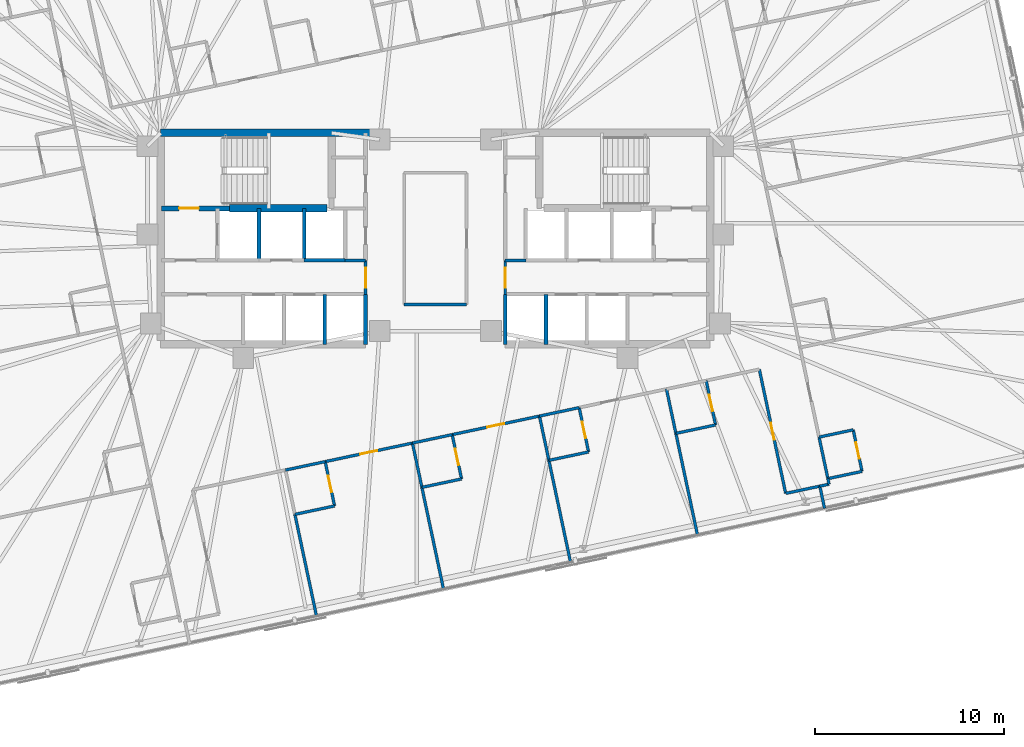
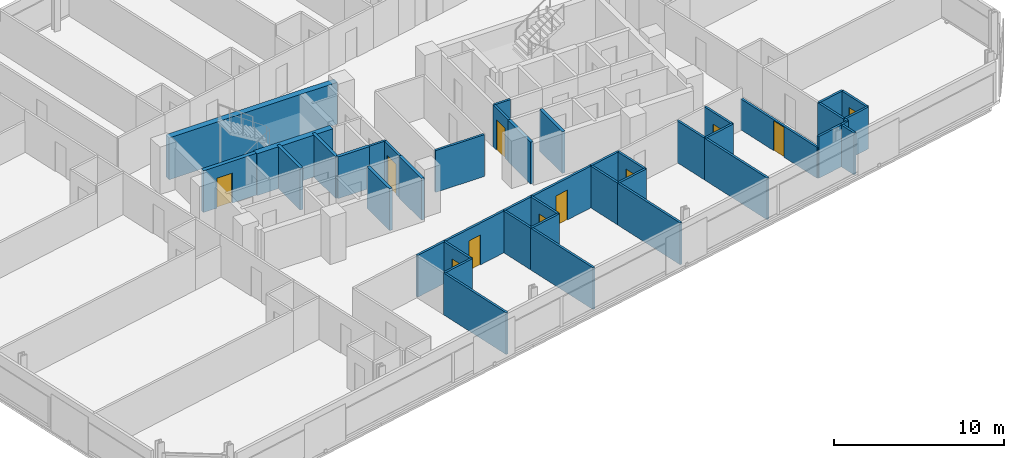
# One storey, part 15 of 20: 44 walls, 11 doors, 11 openings.
"""IFC4 building model written with IfcOpenShell, lengths in metres."""

from ifc_helpers import new_model, si_unit, direction, frame, frame_2d, origin, place, context, subcontext, project, spatial, rectangle, extrude, material, layer, layer_set, type_object, element, fill, save


model = new_model("IFC4")

# Units and contexts
model_context = context("Model", 3, precision=1e-05, world=origin(), true_north=direction((0.0, 1.0)))
body_context = subcontext(model_context, "Body", "Model", "MODEL_VIEW")
ifc_project = project(units=[si_unit("LENGTHUNIT", "METRE"), si_unit("AREAUNIT", "SQUARE_METRE"), si_unit("VOLUMEUNIT", "CUBIC_METRE"), si_unit("PLANEANGLEUNIT", "RADIAN"), si_unit("MASSUNIT", "GRAM", prefix="KILO")], contexts=[model_context])

# Site, building, storey
site_placement = place(None, origin())
site = spatial("IfcSite", under=ifc_project, at=site_placement, CompositionType="ELEMENT")
building_placement = place(site_placement, origin())
building = spatial("IfcBuilding", under=site, at=building_placement, Name="Menara Jurai Vektor", CompositionType="ELEMENT")
storey_placement = place(building_placement, frame((0.0, 0.0, 199.0)))
storey = spatial("IfcBuildingStorey", under=building, at=storey_placement, Name="L52", CompositionType="ELEMENT", Elevation=199.0)

# Wall, opening, door
ifc_material_1 = material(Name="Concrete C40/50", Category="concrete")
ifc_layer_1 = layer(ifc_material_1, 0.25)
ifc_layer_set_1 = layer_set([ifc_layer_1], Name="Concrete C40/50")
wall_type_1 = type_object("IfcWallType", Name="INT-WALL-CORE-250", PredefinedType="STANDARD", material=ifc_layer_set_1)
wall_1_placement = place(storey_placement, frame((-14.5, 1.60009765625, 0.0), z_axis=(0.0, 0.0, 1.0), x_axis=(1.0, 0.0, 0.0)))
wall_1 = element("IfcWall", 1, at=wall_1_placement, inside=storey, type_object=wall_type_1, Name="Interior Wall IW-250 L52", PredefinedType="STANDARD", context=body_context, shape_type="SweptSolid", body=[
    extrude(rectangle(XDim=3.60009765625, YDim=0.25, at=frame_2d((1.800048828125, 0.0))), origin(), (0.0, 0.0, 1.0), 3.0),
])
opening_1_placement = place(wall_1_placement, frame((0.919921875, 0.0, 0.0)))
opening_1 = element("IfcOpeningElement", 2, at=opening_1_placement, cuts=wall_1, Name="Opening D-L52-ST1", PredefinedType="OPENING", context=body_context, shape_type="SweptSolid", body=[
    extrude(rectangle(XDim=1.050048828125, YDim=2.14990234375, at=frame_2d((0.52490234375, 1.074951171875))), frame((0.0, 0.135009765625, 0.0), z_axis=(0.0, -1.0, 0.0), x_axis=(1.0, 0.0, 0.0)), (0.0, 0.0, 1.0), 0.27001953125),
])
ifc_material_2 = material(Name="Fire-Rated Steel Door", Category="steel")
door_type_1 = type_object("IfcDoorType", Name="DR-STAIR-1050", OperationType="NOTDEFINED", PredefinedType="DOOR", material=ifc_material_2)
door_1_placement = place(opening_1_placement, origin())
door_1 = element("IfcDoor", 3, at=door_1_placement, inside=storey, type_object=door_type_1, Name="Exit Stair ST1 Door L52", OperationType="SINGLE_SWING_RIGHT", OverallHeight=2.14990234375, OverallWidth=1.050048828125, PredefinedType="DOOR", context=body_context, shape_type="SweptSolid", body=[
    extrude(rectangle(XDim=1.050048828125, YDim=2.14990234375, at=frame_2d((0.52490234375, 1.074951171875))), frame((0.0, 0.02490234375, 0.0), z_axis=(0.0, -1.0, 0.0), x_axis=(1.0, 0.0, 0.0)), (0.0, 0.0, 1.0), 0.050048828125),
])
fill(opening_1, door_1)

# Wall
wall_2_placement = place(storey_placement, frame((-9.35009765625, -1.14990234375, 0.0), z_axis=(0.0, 0.0, 1.0), x_axis=(0.0, 1.0, 0.0)))
element("IfcWall", 4, at=wall_2_placement, inside=storey, type_object=wall_type_1, Name="Interior Wall IW-250 L52", PredefinedType="STANDARD", context=body_context, shape_type="SweptSolid", body=[
    extrude(rectangle(XDim=2.75, YDim=0.199951171875, at=frame_2d((1.375, 0.0))), origin(), (0.0, 0.0, 1.0), 3.0),
])

# Wall, opening, door
ifc_material_3 = material(Name="Gypsum Fireboard Partition", Category="gypsum")
ifc_layer_2 = layer(ifc_material_3, 0.14990234375)
ifc_layer_set_2 = layer_set([ifc_layer_2], Name="Gypsum Fireboard Partition")
wall_type_2 = type_object("IfcWallType", Name="INT-WALL-CORR-150", PredefinedType="PARTITIONING", material=ifc_layer_set_2)
wall_3_placement = place(storey_placement, frame((-3.699951171875, -2.949951171875, 0.0), z_axis=(0.0, 0.0, 1.0), x_axis=(0.0, 1.0, 0.0)))
wall_3 = element("IfcWall", 5, at=wall_3_placement, inside=storey, type_object=wall_type_2, Name="Interior Wall IW-150 L52", PredefinedType="PARTITIONING", context=body_context, shape_type="SweptSolid", body=[
    extrude(rectangle(XDim=1.800048828125, YDim=0.14990234375, at=frame_2d((0.89990234375, 0.0))), origin(), (0.0, 0.0, 1.0), 3.0),
])
opening_2_placement = place(wall_3_placement, frame((0.35009765625, 0.0, 0.0)))
opening_2 = element("IfcOpeningElement", 6, at=opening_2_placement, cuts=wall_3, Name="Opening D-L52-LLW", PredefinedType="OPENING", context=body_context, shape_type="SweptSolid", body=[
    extrude(rectangle(XDim=1.050048828125, YDim=2.179931640625, at=frame_2d((0.52490234375, 1.08984375))), frame((0.0, 0.0849609375, 0.0), z_axis=(0.0, -1.0, 0.0), x_axis=(1.0, 0.0, 0.0)), (0.0, 0.0, 1.0), 0.169921875),
])
ifc_material_4 = material(Name="Fire-Rated Timber Door", Category="wood")
door_type_2 = type_object("IfcDoorType", Name="DR-LOBBY-1050", OperationType="NOTDEFINED", PredefinedType="DOOR", material=ifc_material_4)
door_2_placement = place(opening_2_placement, origin())
door_2 = element("IfcDoor", 7, at=door_2_placement, inside=storey, type_object=door_type_2, Name="Lift Lobby Corridor Door W L52", OperationType="SINGLE_SWING_LEFT", OverallHeight=2.179931640625, OverallWidth=1.050048828125, PredefinedType="DOOR", context=body_context, shape_type="SweptSolid", body=[
    extrude(rectangle(XDim=1.050048828125, YDim=2.179931640625, at=frame_2d((0.52490234375, 1.08984375))), frame((0.0, 0.02490234375, 0.0), z_axis=(0.0, -1.0, 0.0), x_axis=(1.0, 0.0, 0.0)), (0.0, 0.0, 1.0), 0.050048828125),
])
fill(opening_2, door_2)

# Wall
wall_4_placement = place(storey_placement, frame((-4.7900390625, -1.14990234375, 0.0), z_axis=(0.0, 0.0, 1.0), x_axis=(1.0, 0.0, 0.0)))
element("IfcWall", 8, at=wall_4_placement, inside=storey, type_object=wall_type_2, Name="Interior Wall IW-150 L52", PredefinedType="PARTITIONING", context=body_context, shape_type="SweptSolid", body=[
    extrude(rectangle(XDim=1.090087890625, YDim=0.14990234375, at=frame_2d((0.544921875, 0.0))), origin(), (0.0, 0.0, 1.0), 3.0),
])

# Wall, opening, door
wall_5_placement = place(storey_placement, frame((3.699951171875, -2.949951171875, 0.0), z_axis=(0.0, 0.0, 1.0), x_axis=(0.0, 1.0, 0.0)))
wall_5 = element("IfcWall", 9, at=wall_5_placement, inside=storey, type_object=wall_type_2, Name="Interior Wall IW-150 L52", PredefinedType="PARTITIONING", context=body_context, shape_type="SweptSolid", body=[
    extrude(rectangle(XDim=1.800048828125, YDim=0.14990234375, at=frame_2d((0.89990234375, 0.0))), origin(), (0.0, 0.0, 1.0), 3.0),
])
opening_3_placement = place(wall_5_placement, frame((0.35009765625, 0.0, 0.0)))
opening_3 = element("IfcOpeningElement", 10, at=opening_3_placement, cuts=wall_5, Name="Opening D-L52-LLE", PredefinedType="OPENING", context=body_context, shape_type="SweptSolid", body=[
    extrude(rectangle(XDim=1.050048828125, YDim=2.179931640625, at=frame_2d((0.52490234375, 1.08984375))), frame((0.0, 0.0849609375, 0.0), z_axis=(0.0, -1.0, 0.0), x_axis=(1.0, 0.0, 0.0)), (0.0, 0.0, 1.0), 0.169921875),
])
door_3_placement = place(opening_3_placement, frame((1.050048828125, 0.0, 0.0), z_axis=(0.0, 0.0, 1.0), x_axis=(-1.0, 0.0, 0.0)))
door_3 = element("IfcDoor", 11, at=door_3_placement, inside=storey, type_object=door_type_2, Name="Lift Lobby Corridor Door E L52", OperationType="SINGLE_SWING_RIGHT", OverallHeight=2.179931640625, OverallWidth=1.050048828125, PredefinedType="DOOR", context=body_context, shape_type="SweptSolid", body=[
    extrude(rectangle(XDim=1.050048828125, YDim=2.179931640625, at=frame_2d((0.52490234375, 1.08984375))), frame((0.0, 0.02490234375, 0.0), z_axis=(0.0, -1.0, 0.0), x_axis=(1.0, 0.0, 0.0)), (0.0, 0.0, 1.0), 0.050048828125),
])
fill(opening_3, door_3)

# Walls
wall_6_placement = place(storey_placement, frame((3.699951171875, -1.14990234375, 0.0), z_axis=(0.0, 0.0, 1.0), x_axis=(1.0, 0.0, 0.0)))
element("IfcWall", 12, at=wall_6_placement, inside=storey, type_object=wall_type_2, Name="Interior Wall IW-150 L52", PredefinedType="PARTITIONING", context=body_context, shape_type="SweptSolid", body=[
    extrude(rectangle(XDim=1.090087890625, YDim=0.14990234375, at=frame_2d((0.544921875, 0.0))), origin(), (0.0, 0.0, 1.0), 3.0),
])
wall_7_placement = place(storey_placement, frame((-1.64990234375, -3.489501953125, 0.0), z_axis=(0.0, 0.0, 1.0), x_axis=(0.999999975374, -0.000221926315, 0.0)))
element("IfcWall", 13, at=wall_7_placement, inside=storey, type_object=wall_type_2, Name="Interior Wall IW-150 L52", PredefinedType="PARTITIONING", context=body_context, shape_type="SweptSolid", body=[
    extrude(rectangle(XDim=3.30029296875, YDim=0.14990234375, at=frame_2d((1.650146484375, 0.0))), origin(), (0.0, 0.0, 1.0), 3.0),
])

# Wall, opening, door
wall_8_placement = place(storey_placement, frame((-5.839599609375, -11.814453125, 0.0), z_axis=(0.0, 0.0, 1.0), x_axis=(0.978148615161, 0.207906918255, 0.0)))
wall_8 = element("IfcWall", 14, at=wall_8_placement, inside=storey, type_object=wall_type_2, Name="Interior Wall IW-150 L52", PredefinedType="PARTITIONING", context=body_context, shape_type="SweptSolid", body=[
    extrude(rectangle(XDim=4.728759765625, YDim=0.14990234375, at=frame_2d((2.3642578125, 0.0))), origin(), (0.0, 0.0, 1.0), 3.0),
])
opening_4_placement = place(wall_8_placement, frame((1.904541015625, 0.0, 0.0)))
opening_4 = element("IfcOpeningElement", 15, at=opening_4_placement, cuts=wall_8, Name="Opening D52-19", PredefinedType="OPENING", context=body_context, shape_type="SweptSolid", body=[
    extrude(rectangle(XDim=0.919921875, YDim=2.14990234375, at=frame_2d((0.4599609375, 1.074951171875))), frame((0.0, 0.0849609375, 0.0), z_axis=(0.0, -1.0, 0.0), x_axis=(1.0, 0.0, 0.0)), (0.0, 0.0, 1.0), 0.169921875),
])
ifc_material_5 = material(Name="Solid Core Timber Fire Door", Category="wood")
door_type_3 = type_object("IfcDoorType", Name="DR-ENTRY-950", OperationType="NOTDEFINED", PredefinedType="DOOR", material=ifc_material_5)
door_4_placement = place(opening_4_placement, origin())
door_4 = element("IfcDoor", 16, at=door_4_placement, inside=storey, type_object=door_type_3, Name="Interior Door D52-19", OperationType="SINGLE_SWING_RIGHT", OverallHeight=2.14990234375, OverallWidth=0.919921875, PredefinedType="DOOR", context=body_context, shape_type="SweptSolid", body=[
    extrude(rectangle(XDim=0.919921875, YDim=2.14990234375, at=frame_2d((0.4599609375, 1.074951171875))), frame((0.0, 0.02490234375, 0.0), z_axis=(0.0, -1.0, 0.0), x_axis=(1.0, 0.0, 0.0)), (0.0, 0.0, 1.0), 0.050048828125),
])
fill(opening_4, door_4)

# Wall
wall_9_placement = place(storey_placement, frame((-7.942626953125, -12.261474609375, 0.0), z_axis=(0.0, 0.0, 1.0), x_axis=(0.978146728319, 0.207915795165, 0.0)))
element("IfcWall", 17, at=wall_9_placement, inside=storey, type_object=wall_type_2, Name="Interior Wall IW-150 L52", PredefinedType="PARTITIONING", context=body_context, shape_type="SweptSolid", body=[
    extrude(rectangle(XDim=2.14990234375, YDim=0.14990234375, at=frame_2d((1.074951171875, 0.0))), origin(), (0.0, 0.0, 1.0), 3.0),
])

# Wall, opening, door
wall_10_placement = place(storey_placement, frame((0.888916015625, -10.38427734375, 0.0), z_axis=(0.0, 0.0, 1.0), x_axis=(0.978150846638, 0.207896419455, 0.0)))
wall_10 = element("IfcWall", 18, at=wall_10_placement, inside=storey, type_object=wall_type_2, Name="Interior Wall IW-150 L52", PredefinedType="PARTITIONING", context=body_context, shape_type="SweptSolid", body=[
    extrude(rectangle(XDim=4.72900390625, YDim=0.14990234375, at=frame_2d((2.364501953125, 0.0))), origin(), (0.0, 0.0, 1.0), 3.0),
])
opening_5_placement = place(wall_10_placement, frame((1.904541015625, 0.0, 0.0)))
opening_5 = element("IfcOpeningElement", 19, at=opening_5_placement, cuts=wall_10, Name="Opening D52-21", PredefinedType="OPENING", context=body_context, shape_type="SweptSolid", body=[
    extrude(rectangle(XDim=0.919921875, YDim=2.14990234375, at=frame_2d((0.4599609375, 1.074951171875))), frame((0.0, 0.0849609375, 0.0), z_axis=(0.0, -1.0, 0.0), x_axis=(1.0, 0.0, 0.0)), (0.0, 0.0, 1.0), 0.169921875),
])
door_5_placement = place(opening_5_placement, origin())
door_5 = element("IfcDoor", 20, at=door_5_placement, inside=storey, type_object=door_type_3, Name="Interior Door D52-21", OperationType="SINGLE_SWING_RIGHT", OverallHeight=2.14990234375, OverallWidth=0.919921875, PredefinedType="DOOR", context=body_context, shape_type="SweptSolid", body=[
    extrude(rectangle(XDim=0.919921875, YDim=2.14990234375, at=frame_2d((0.4599609375, 1.074951171875))), frame((0.0, 0.02490234375, 0.0), z_axis=(0.0, -1.0, 0.0), x_axis=(1.0, 0.0, 0.0)), (0.0, 0.0, 1.0), 0.050048828125),
])
fill(opening_5, door_5)

# Walls
for number, where, z_axis, x_axis, name in (
    (21, (-1.214111328125, -10.831298828125, 0.0), (0.0, 0.0, 1.0), (0.978146728319, 0.207915795165, 0.0), "Interior Wall IW-150 L52"),
    (22, (5.5146484375, -9.401123046875, 0.0), (0.0, 0.0, 1.0), (0.978146728319, 0.207915795165, 0.0), "Interior Wall IW-150 L52"),
):
    element("IfcWall", number, at=place(storey_placement, frame(where, z_axis=z_axis, x_axis=x_axis)), inside=storey, type_object=wall_type_2, Name=name, PredefinedType="PARTITIONING", context=body_context, shape_type="SweptSolid", body=[
        extrude(rectangle(XDim=2.14990234375, YDim=0.14990234375, at=frame_2d((1.074951171875, 0.0))), origin(), (0.0, 0.0, 1.0), 3.0),
    ])
wall_11_placement = place(storey_placement, frame((18.5595703125, -13.498291015625, 0.0), z_axis=(0.0, 0.0, 1.0), x_axis=(0.978160192495, 0.207852442415, 0.0)))
element("IfcWall", 23, at=wall_11_placement, inside=storey, type_object=wall_type_2, Name="Interior Wall IW-150 L52", PredefinedType="PARTITIONING", context=body_context, shape_type="SweptSolid", body=[
    extrude(rectangle(XDim=1.849853515625, YDim=0.14990234375, at=frame_2d((0.9248046875, 0.0))), origin(), (0.0, 0.0, 1.0), 3.0),
])
wall_12_placement = place(storey_placement, frame((20.369140625, -13.11376953125, 0.0), z_axis=(0.0, 0.0, 1.0), x_axis=(0.978143962546, 0.207928806409, 0.0)))
element("IfcWall", 24, at=wall_12_placement, inside=storey, type_object=wall_type_2, Name="Interior Wall IW-150 L52", PredefinedType="PARTITIONING", context=body_context, shape_type="SweptSolid", body=[
    extrude(rectangle(XDim=0.500244140625, YDim=0.14990234375, at=frame_2d((0.25, 0.0))), origin(), (0.0, 0.0, 1.0), 3.0),
])
wall_13_placement = place(storey_placement, frame((20.8583984375, -13.009765625, 0.0), z_axis=(0.0, 0.0, 1.0), x_axis=(-0.208306395052, 0.978063620518, 0.0)))
element("IfcWall", 25, at=wall_13_placement, inside=storey, type_object=wall_type_2, Name="Interior Wall IW-150 L52", PredefinedType="PARTITIONING", context=body_context, shape_type="SweptSolid", body=[
    extrude(rectangle(XDim=0.300048828125, YDim=0.14990234375, at=frame_2d((0.14990234375, 0.0))), origin(), (0.0, 0.0, 1.0), 3.0),
])
wall_14_placement = place(storey_placement, frame((20.7958984375, -12.71630859375, 0.0), z_axis=(0.0, 0.0, 1.0), x_axis=(-0.207891197838, 0.978151956427, 0.0)))
element("IfcWall", 26, at=wall_14_placement, inside=storey, type_object=wall_type_2, Name="Interior Wall IW-150 L52", PredefinedType="PARTITIONING", context=body_context, shape_type="SweptSolid", body=[
    extrude(rectangle(XDim=2.25, YDim=0.14990234375, at=frame_2d((1.125, 0.0))), origin(), (0.0, 0.0, 1.0), 3.0),
])
wall_15_placement = place(storey_placement, frame((-6.2958984375, -20.00830078125, 0.0), z_axis=(0.0, 0.0, 1.0), x_axis=(-0.20792487872, 0.978144797466, 0.0)))
element("IfcWall", 27, at=wall_15_placement, inside=storey, type_object=wall_type_2, Name="Interior Wall IW-150 L52", PredefinedType="PARTITIONING", context=body_context, shape_type="SweptSolid", body=[
    extrude(rectangle(XDim=5.519775390625, YDim=0.14990234375, at=frame_2d((2.759765625, 0.0))), origin(), (0.0, 0.0, 1.0), 3.0),
])
wall_16_placement = place(storey_placement, frame((-7.443603515625, -14.609130859375, 0.0), z_axis=(0.0, 0.0, 1.0), x_axis=(0.978141818715, 0.207938891219, 0.0)))
element("IfcWall", 28, at=wall_16_placement, inside=storey, type_object=wall_type_2, Name="Interior Wall IW-150 L52", PredefinedType="PARTITIONING", context=body_context, shape_type="SweptSolid", body=[
    extrude(rectangle(XDim=2.149658203125, YDim=0.14990234375, at=frame_2d((1.07470703125, 0.0))), origin(), (0.0, 0.0, 1.0), 3.0),
])

# Wall, opening, door
wall_17_placement = place(storey_placement, frame((-5.3408203125, -14.162109375, 0.0), z_axis=(0.0, 0.0, 1.0), x_axis=(-0.207819824493, 0.978167123015, 0.0)))
wall_17 = element("IfcWall", 29, at=wall_17_placement, inside=storey, type_object=wall_type_2, Name="Interior Wall IW-150 L52", PredefinedType="PARTITIONING", context=body_context, shape_type="SweptSolid", body=[
    extrude(rectangle(XDim=2.400146484375, YDim=0.14990234375, at=frame_2d((1.2001953125, 0.0))), origin(), (0.0, 0.0, 1.0), 3.0),
])
opening_6_placement = place(wall_17_placement, frame((0.760009765625, 0.0, 0.0)))
opening_6 = element("IfcOpeningElement", 30, at=opening_6_placement, cuts=wall_17, Name="Opening D52-20", PredefinedType="OPENING", context=body_context, shape_type="SweptSolid", body=[
    extrude(rectangle(XDim=0.8798828125, YDim=2.14990234375, at=frame_2d((0.43994140625, 1.074951171875))), frame((0.0, 0.0849609375, 0.0), z_axis=(0.0, -1.0, 0.0), x_axis=(1.0, 0.0, 0.0)), (0.0, 0.0, 1.0), 0.169921875),
])
ifc_material_6 = material(Name="Moisture-Resistant Timber Door", Category="wood")
door_type_4 = type_object("IfcDoorType", Name="DR-BATH-880", OperationType="NOTDEFINED", PredefinedType="DOOR", material=ifc_material_6)
door_6_placement = place(opening_6_placement, origin())
door_6 = element("IfcDoor", 31, at=door_6_placement, inside=storey, type_object=door_type_4, Name="Interior Door D52-20", OperationType="SINGLE_SWING_LEFT", OverallHeight=2.14990234375, OverallWidth=0.8798828125, PredefinedType="DOOR", context=body_context, shape_type="SweptSolid", body=[
    extrude(rectangle(XDim=0.8798828125, YDim=2.14990234375, at=frame_2d((0.43994140625, 1.074951171875))), frame((0.0, 0.02490234375, 0.0), z_axis=(0.0, -1.0, 0.0), x_axis=(1.0, 0.0, 0.0)), (0.0, 0.0, 1.0), 0.050048828125),
])
fill(opening_6, door_6)

# Walls
wall_18_placement = place(storey_placement, frame((0.4326171875, -18.578125, 0.0), z_axis=(0.0, 0.0, 1.0), x_axis=(-0.20791588359, 0.978146709523, 0.0)))
element("IfcWall", 32, at=wall_18_placement, inside=storey, type_object=wall_type_2, Name="Interior Wall IW-150 L52", PredefinedType="PARTITIONING", context=body_context, shape_type="SweptSolid", body=[
    extrude(rectangle(XDim=5.52001953125, YDim=0.14990234375, at=frame_2d((2.760009765625, 0.0))), origin(), (0.0, 0.0, 1.0), 3.0),
])
wall_19_placement = place(storey_placement, frame((-0.715087890625, -13.1787109375, 0.0), z_axis=(0.0, 0.0, 1.0), x_axis=(-0.207937840262, 0.978142042133, 0.0)))
element("IfcWall", 33, at=wall_19_placement, inside=storey, type_object=wall_type_2, Name="Interior Wall IW-150 L52", PredefinedType="PARTITIONING", context=body_context, shape_type="SweptSolid", body=[
    extrude(rectangle(XDim=2.39990234375, YDim=0.14990234375, at=frame_2d((1.199951171875, 0.0))), origin(), (0.0, 0.0, 1.0), 3.0),
])
wall_20_placement = place(storey_placement, frame((-0.715087890625, -13.1787109375, 0.0), z_axis=(0.0, 0.0, 1.0), x_axis=(0.978146728319, 0.207915795165, 0.0)))
element("IfcWall", 34, at=wall_20_placement, inside=storey, type_object=wall_type_2, Name="Interior Wall IW-150 L52", PredefinedType="PARTITIONING", context=body_context, shape_type="SweptSolid", body=[
    extrude(rectangle(XDim=2.14990234375, YDim=0.14990234375, at=frame_2d((1.074951171875, 0.0))), origin(), (0.0, 0.0, 1.0), 3.0),
])

# Wall, opening, door
wall_21_placement = place(storey_placement, frame((1.387939453125, -12.731689453125, 0.0), z_axis=(0.0, 0.0, 1.0), x_axis=(-0.207937840262, 0.978142042133, 0.0)))
wall_21 = element("IfcWall", 35, at=wall_21_placement, inside=storey, type_object=wall_type_2, Name="Interior Wall IW-150 L52", PredefinedType="PARTITIONING", context=body_context, shape_type="SweptSolid", body=[
    extrude(rectangle(XDim=2.39990234375, YDim=0.14990234375, at=frame_2d((1.199951171875, 0.0))), origin(), (0.0, 0.0, 1.0), 3.0),
])
opening_7_placement = place(wall_21_placement, frame((0.760009765625, 0.0, 0.0)))
opening_7 = element("IfcOpeningElement", 36, at=opening_7_placement, cuts=wall_21, Name="Opening D52-22", PredefinedType="OPENING", context=body_context, shape_type="SweptSolid", body=[
    extrude(rectangle(XDim=0.8798828125, YDim=2.14990234375, at=frame_2d((0.43994140625, 1.074951171875))), frame((0.0, 0.0849609375, 0.0), z_axis=(0.0, -1.0, 0.0), x_axis=(1.0, 0.0, 0.0)), (0.0, 0.0, 1.0), 0.169921875),
])
door_7_placement = place(opening_7_placement, origin())
door_7 = element("IfcDoor", 37, at=door_7_placement, inside=storey, type_object=door_type_4, Name="Interior Door D52-22", OperationType="SINGLE_SWING_LEFT", OverallHeight=2.14990234375, OverallWidth=0.8798828125, PredefinedType="DOOR", context=body_context, shape_type="SweptSolid", body=[
    extrude(rectangle(XDim=0.8798828125, YDim=2.14990234375, at=frame_2d((0.43994140625, 1.074951171875))), frame((0.0, 0.02490234375, 0.0), z_axis=(0.0, -1.0, 0.0), x_axis=(1.0, 0.0, 0.0)), (0.0, 0.0, 1.0), 0.050048828125),
])
fill(opening_7, door_7)

# Walls
wall_22_placement = place(storey_placement, frame((7.161376953125, -17.14794921875, 0.0), z_axis=(0.0, 0.0, 1.0), x_axis=(-0.20791588359, 0.978146709523, 0.0)))
element("IfcWall", 38, at=wall_22_placement, inside=storey, type_object=wall_type_2, Name="Interior Wall IW-150 L52", PredefinedType="PARTITIONING", context=body_context, shape_type="SweptSolid", body=[
    extrude(rectangle(XDim=5.52001953125, YDim=0.14990234375, at=frame_2d((2.760009765625, 0.0))), origin(), (0.0, 0.0, 1.0), 3.0),
])
wall_23_placement = place(storey_placement, frame((6.013671875, -11.74853515625, 0.0), z_axis=(0.0, 0.0, 1.0), x_axis=(-0.207937840262, 0.978142042133, 0.0)))
element("IfcWall", 39, at=wall_23_placement, inside=storey, type_object=wall_type_2, Name="Interior Wall IW-150 L52", PredefinedType="PARTITIONING", context=body_context, shape_type="SweptSolid", body=[
    extrude(rectangle(XDim=2.39990234375, YDim=0.14990234375, at=frame_2d((1.199951171875, 0.0))), origin(), (0.0, 0.0, 1.0), 3.0),
])
wall_24_placement = place(storey_placement, frame((6.013671875, -11.74853515625, 0.0), z_axis=(0.0, 0.0, 1.0), x_axis=(0.978146728319, 0.207915795165, 0.0)))
element("IfcWall", 40, at=wall_24_placement, inside=storey, type_object=wall_type_2, Name="Interior Wall IW-150 L52", PredefinedType="PARTITIONING", context=body_context, shape_type="SweptSolid", body=[
    extrude(rectangle(XDim=2.14990234375, YDim=0.14990234375, at=frame_2d((1.074951171875, 0.0))), origin(), (0.0, 0.0, 1.0), 3.0),
])

# Wall, opening, door
wall_25_placement = place(storey_placement, frame((8.11669921875, -11.301513671875, 0.0), z_axis=(0.0, 0.0, 1.0), x_axis=(-0.207937840262, 0.978142042133, 0.0)))
wall_25 = element("IfcWall", 41, at=wall_25_placement, inside=storey, type_object=wall_type_2, Name="Interior Wall IW-150 L52", PredefinedType="PARTITIONING", context=body_context, shape_type="SweptSolid", body=[
    extrude(rectangle(XDim=2.39990234375, YDim=0.14990234375, at=frame_2d((1.199951171875, 0.0))), origin(), (0.0, 0.0, 1.0), 3.0),
])
opening_8_placement = place(wall_25_placement, frame((0.760009765625, 0.0, 0.0)))
opening_8 = element("IfcOpeningElement", 42, at=opening_8_placement, cuts=wall_25, Name="Opening D52-24", PredefinedType="OPENING", context=body_context, shape_type="SweptSolid", body=[
    extrude(rectangle(XDim=0.8798828125, YDim=2.14990234375, at=frame_2d((0.43994140625, 1.074951171875))), frame((0.0, 0.0849609375, 0.0), z_axis=(0.0, -1.0, 0.0), x_axis=(1.0, 0.0, 0.0)), (0.0, 0.0, 1.0), 0.169921875),
])
door_8_placement = place(opening_8_placement, origin())
door_8 = element("IfcDoor", 43, at=door_8_placement, inside=storey, type_object=door_type_4, Name="Interior Door D52-24", OperationType="SINGLE_SWING_LEFT", OverallHeight=2.14990234375, OverallWidth=0.8798828125, PredefinedType="DOOR", context=body_context, shape_type="SweptSolid", body=[
    extrude(rectangle(XDim=0.8798828125, YDim=2.14990234375, at=frame_2d((0.43994140625, 1.074951171875))), frame((0.0, 0.02490234375, 0.0), z_axis=(0.0, -1.0, 0.0), x_axis=(1.0, 0.0, 0.0)), (0.0, 0.0, 1.0), 0.050048828125),
])
fill(opening_8, door_8)

# Walls
wall_26_placement = place(storey_placement, frame((13.889892578125, -15.7177734375, 0.0), z_axis=(0.0, 0.0, 1.0), x_axis=(-0.207873566928, 0.97815570344, 0.0)))
element("IfcWall", 44, at=wall_26_placement, inside=storey, type_object=wall_type_2, Name="Interior Wall IW-150 L52", PredefinedType="PARTITIONING", context=body_context, shape_type="SweptSolid", body=[
    extrude(rectangle(XDim=5.52001953125, YDim=0.14990234375, at=frame_2d((2.760009765625, 0.0))), origin(), (0.0, 0.0, 1.0), 3.0),
])
wall_27_placement = place(storey_placement, frame((12.742431640625, -10.318359375, 0.0), z_axis=(0.0, 0.0, 1.0), x_axis=(-0.207917150959, 0.978146440129, 0.0)))
element("IfcWall", 45, at=wall_27_placement, inside=storey, type_object=wall_type_2, Name="Interior Wall IW-150 L52", PredefinedType="PARTITIONING", context=body_context, shape_type="SweptSolid", body=[
    extrude(rectangle(XDim=2.400146484375, YDim=0.14990234375, at=frame_2d((1.2001953125, 0.0))), origin(), (0.0, 0.0, 1.0), 3.0),
])
wall_28_placement = place(storey_placement, frame((12.742431640625, -10.318359375, 0.0), z_axis=(0.0, 0.0, 1.0), x_axis=(0.978146728319, 0.207915795165, 0.0)))
element("IfcWall", 46, at=wall_28_placement, inside=storey, type_object=wall_type_2, Name="Interior Wall IW-150 L52", PredefinedType="PARTITIONING", context=body_context, shape_type="SweptSolid", body=[
    extrude(rectangle(XDim=2.14990234375, YDim=0.14990234375, at=frame_2d((1.074951171875, 0.0))), origin(), (0.0, 0.0, 1.0), 3.0),
])

# Wall, opening, door
wall_29_placement = place(storey_placement, frame((14.845458984375, -9.871337890625, 0.0), z_axis=(0.0, 0.0, 1.0), x_axis=(-0.207917150959, 0.978146440129, 0.0)))
wall_29 = element("IfcWall", 47, at=wall_29_placement, inside=storey, type_object=wall_type_2, Name="Interior Wall IW-150 L52", PredefinedType="PARTITIONING", context=body_context, shape_type="SweptSolid", body=[
    extrude(rectangle(XDim=2.400146484375, YDim=0.14990234375, at=frame_2d((1.2001953125, 0.0))), origin(), (0.0, 0.0, 1.0), 3.0),
])
opening_9_placement = place(wall_29_placement, frame((0.760009765625, 0.0, 0.0)))
opening_9 = element("IfcOpeningElement", 48, at=opening_9_placement, cuts=wall_29, Name="Opening D52-26", PredefinedType="OPENING", context=body_context, shape_type="SweptSolid", body=[
    extrude(rectangle(XDim=0.8798828125, YDim=2.14990234375, at=frame_2d((0.43994140625, 1.074951171875))), frame((0.0, 0.0849609375, 0.0), z_axis=(0.0, -1.0, 0.0), x_axis=(1.0, 0.0, 0.0)), (0.0, 0.0, 1.0), 0.169921875),
])
door_9_placement = place(opening_9_placement, origin())
door_9 = element("IfcDoor", 49, at=door_9_placement, inside=storey, type_object=door_type_4, Name="Interior Door D52-26", OperationType="SINGLE_SWING_LEFT", OverallHeight=2.14990234375, OverallWidth=0.8798828125, PredefinedType="DOOR", context=body_context, shape_type="SweptSolid", body=[
    extrude(rectangle(XDim=0.8798828125, YDim=2.14990234375, at=frame_2d((0.43994140625, 1.074951171875))), frame((0.0, 0.02490234375, 0.0), z_axis=(0.0, -1.0, 0.0), x_axis=(1.0, 0.0, 0.0)), (0.0, 0.0, 1.0), 0.050048828125),
])
fill(opening_9, door_9)

# Walls
wall_30_placement = place(storey_placement, frame((20.61865234375, -14.28759765625, 0.0), z_axis=(0.0, 0.0, 1.0), x_axis=(-0.207917150959, 0.978146440129, 0.0)))
element("IfcWall", 50, at=wall_30_placement, inside=storey, type_object=wall_type_2, Name="Interior Wall IW-150 L52", PredefinedType="PARTITIONING", context=body_context, shape_type="SweptSolid", body=[
    extrude(rectangle(XDim=1.199951171875, YDim=0.14990234375, at=frame_2d((0.60009765625, 0.0))), origin(), (0.0, 0.0, 1.0), 3.0),
])
for number, where, z_axis, x_axis, name in (
    (51, (20.7958984375, -12.71630859375, 0.0), (0.0, 0.0, 1.0), (0.978160192495, 0.207852442415, 0.0), "Interior Wall IW-150 L52"),
    (52, (20.328125, -10.515380859375, 0.0), (0.0, 0.0, 1.0), (0.978160192495, 0.207852442415, 0.0), "Interior Wall IW-150 L52"),
):
    element("IfcWall", number, at=place(storey_placement, frame(where, z_axis=z_axis, x_axis=x_axis)), inside=storey, type_object=wall_type_2, Name=name, PredefinedType="PARTITIONING", context=body_context, shape_type="SweptSolid", body=[
        extrude(rectangle(XDim=1.849853515625, YDim=0.14990234375, at=frame_2d((0.9248046875, 0.0))), origin(), (0.0, 0.0, 1.0), 3.0),
    ])

# Wall, opening, door
wall_31_placement = place(storey_placement, frame((22.60546875, -12.331787109375, 0.0), z_axis=(0.0, 0.0, 1.0), x_axis=(-0.207891197838, 0.978151956427, 0.0)))
wall_31 = element("IfcWall", 53, at=wall_31_placement, inside=storey, type_object=wall_type_2, Name="Interior Wall IW-150 L52", PredefinedType="PARTITIONING", context=body_context, shape_type="SweptSolid", body=[
    extrude(rectangle(XDim=2.25, YDim=0.14990234375, at=frame_2d((1.125, 0.0))), origin(), (0.0, 0.0, 1.0), 3.0),
])
opening_10_placement = place(wall_31_placement, frame((0.68505859375, 0.0, 0.0)))
opening_10 = element("IfcOpeningElement", 54, at=opening_10_placement, cuts=wall_31, Name="Opening D52-38", PredefinedType="OPENING", context=body_context, shape_type="SweptSolid", body=[
    extrude(rectangle(XDim=0.8798828125, YDim=2.14990234375, at=frame_2d((0.43994140625, 1.074951171875))), frame((0.0, 0.0849609375, 0.0), z_axis=(0.0, -1.0, 0.0), x_axis=(1.0, 0.0, 0.0)), (0.0, 0.0, 1.0), 0.169921875),
])
door_10_placement = place(opening_10_placement, origin())
door_10 = element("IfcDoor", 55, at=door_10_placement, inside=storey, type_object=door_type_4, Name="Interior Door D52-38", OperationType="SINGLE_SWING_LEFT", OverallHeight=2.14990234375, OverallWidth=0.8798828125, PredefinedType="DOOR", context=body_context, shape_type="SweptSolid", body=[
    extrude(rectangle(XDim=0.8798828125, YDim=2.14990234375, at=frame_2d((0.43994140625, 1.074951171875))), frame((0.0, 0.02490234375, 0.0), z_axis=(0.0, -1.0, 0.0), x_axis=(1.0, 0.0, 0.0)), (0.0, 0.0, 1.0), 0.050048828125),
])
fill(opening_10, door_10)

ifc_layer_3 = layer(ifc_material_3, 0.14990234375)
ifc_layer_set_3 = layer_set([ifc_layer_3], Name="Gypsum Fireboard Partition")
wall_type_3 = type_object("IfcWallType", Name="INT-WALL-CORR-150-H3", PredefinedType="PARTITIONING", material=ifc_layer_set_3)
wall_32_placement = place(storey_placement, frame((18.5595703125, -13.498291015625, 0.0), z_axis=(0.0, 0.0, 1.0), x_axis=(-0.207888737749, 0.978152479278, 0.0)))
wall_32 = element("IfcWall", 56, at=wall_32_placement, inside=storey, type_object=wall_type_3, Name="Interior Wall IW-150 L52", PredefinedType="PARTITIONING", context=body_context, shape_type="SweptSolid", body=[
    extrude(rectangle(XDim=6.7197265625, YDim=0.14990234375, at=frame_2d((3.35986328125, 0.0))), origin(), (0.0, 0.0, 1.0), 2.219970703125),
])
opening_11_placement = place(wall_32_placement, frame((2.89990234375, 0.0, 0.0)))
opening_11 = element("IfcOpeningElement", 57, at=opening_11_placement, cuts=wall_32, Name="Opening D52-25", PredefinedType="OPENING", context=body_context, shape_type="SweptSolid", body=[
    extrude(rectangle(XDim=0.919921875, YDim=2.14990234375, at=frame_2d((0.4599609375, 1.074951171875))), frame((0.0, 0.0849609375, 0.0), z_axis=(0.0, -1.0, 0.0), x_axis=(1.0, 0.0, 0.0)), (0.0, 0.0, 1.0), 0.169921875),
])
door_11_placement = place(opening_11_placement, origin())
door_11 = element("IfcDoor", 58, at=door_11_placement, inside=storey, type_object=door_type_3, Name="Interior Door D52-25", OperationType="SINGLE_SWING_RIGHT", OverallHeight=2.14990234375, OverallWidth=0.919921875, PredefinedType="DOOR", context=body_context, shape_type="SweptSolid", body=[
    extrude(rectangle(XDim=0.919921875, YDim=2.14990234375, at=frame_2d((0.4599609375, 1.074951171875))), frame((0.0, 0.02490234375, 0.0), z_axis=(0.0, -1.0, 0.0), x_axis=(1.0, 0.0, 0.0)), (0.0, 0.0, 1.0), 0.050048828125),
])
fill(opening_11, door_11)

# Walls
ifc_layer_4 = layer(ifc_material_1, 0.199951171875)
ifc_layer_set_4 = layer_set([ifc_layer_4], Name="Concrete C40/50")
wall_type_4 = type_object("IfcWallType", Name="INT-WALL-SHAFT-200", PredefinedType="STANDARD", material=ifc_layer_set_4)
wall_33_placement = place(storey_placement, frame((-3.699951171875, -5.60009765625, 0.0), z_axis=(0.0, 0.0, 1.0), x_axis=(0.0, 1.0, 0.0)))
element("IfcWall", 59, at=wall_33_placement, inside=storey, type_object=wall_type_4, Name="Interior Wall IW-200 L52", PredefinedType="STANDARD", context=body_context, shape_type="SweptSolid", body=[
    extrude(rectangle(XDim=2.650146484375, YDim=0.199951171875, at=frame_2d((1.3251953125, 0.0))), origin(), (0.0, 0.0, 1.0), 3.0),
])
wall_34_placement = place(storey_placement, frame((-6.949951171875, -1.14990234375, 0.0), z_axis=(0.0, 0.0, 1.0), x_axis=(0.0, 1.0, 0.0)))
element("IfcWall", 60, at=wall_34_placement, inside=storey, type_object=wall_type_4, Name="Interior Wall IW-200 L52", PredefinedType="STANDARD", context=body_context, shape_type="SweptSolid", body=[
    extrude(rectangle(XDim=2.75, YDim=0.199951171875, at=frame_2d((1.375, 0.0))), origin(), (0.0, 0.0, 1.0), 3.0),
])
wall_35_placement = place(storey_placement, frame((-6.949951171875, -1.14990234375, 0.0), z_axis=(0.0, 0.0, 1.0), x_axis=(1.0, 0.0, 0.0)))
element("IfcWall", 61, at=wall_35_placement, inside=storey, type_object=wall_type_4, Name="Interior Wall IW-200 L52", PredefinedType="STANDARD", context=body_context, shape_type="SweptSolid", body=[
    extrude(rectangle(XDim=2.159912109375, YDim=0.199951171875, at=frame_2d((1.080078125, 0.0))), origin(), (0.0, 0.0, 1.0), 3.0),
])
for number, where, z_axis, x_axis, name in (
    (62, (-5.860107421875, -5.60009765625, 0.0), (0.0, 0.0, 1.0), (0.0, 1.0, 0.0), "Interior Wall IW-200 L52"),
    (63, (3.699951171875, -5.60009765625, 0.0), (0.0, 0.0, 1.0), (0.0, 1.0, 0.0), "Interior Wall IW-200 L52"),
    (64, (5.860107421875, -5.60009765625, 0.0), (0.0, 0.0, 1.0), (0.0, 1.0, 0.0), "Interior Wall IW-200 L52"),
):
    element("IfcWall", number, at=place(storey_placement, frame(where, z_axis=z_axis, x_axis=x_axis)), inside=storey, type_object=wall_type_4, Name=name, PredefinedType="STANDARD", context=body_context, shape_type="SweptSolid", body=[
        extrude(rectangle(XDim=2.650146484375, YDim=0.199951171875, at=frame_2d((1.3251953125, 0.0))), origin(), (0.0, 0.0, 1.0), 3.0),
    ])
ifc_material_7 = material(Name="Concrete C50/60", Category="concrete")
ifc_layer_5 = layer(ifc_material_7, 0.39990234375)
ifc_layer_set_5 = layer_set([ifc_layer_5], Name="Concrete C50/60")
wall_type_5 = type_object("IfcWallType", Name="STR-WALL-CORE400", PredefinedType="SHEAR", material=ifc_layer_set_5)
wall_36_placement = place(storey_placement, frame((-14.56005859375, 5.60009765625, 0.0), z_axis=(0.0, 0.0, 1.0), x_axis=(1.0, 0.0, 0.0)))
element("IfcWall", 65, at=wall_36_placement, inside=storey, type_object=wall_type_5, Name="Core Shear Wall CW-W-N L52", PredefinedType="SHEAR", context=body_context, shape_type="SweptSolid", body=[
    extrude(rectangle(XDim=11.41015625, YDim=0.39990234375, at=frame_2d((5.705078125, 0.0))), origin(), (0.0, 0.0, 1.0), 3.0),
])
wall_37_placement = place(storey_placement, frame((-10.89990234375, 1.60009765625, 0.0), z_axis=(0.0, 0.0, 1.0), x_axis=(1.0, 0.0, 0.0)))
element("IfcWall", 66, at=wall_37_placement, inside=storey, type_object=wall_type_5, Name="Core Shear Wall CW-W-STS L52", PredefinedType="SHEAR", context=body_context, shape_type="SweptSolid", body=[
    extrude(rectangle(XDim=5.14990234375, YDim=0.39990234375, at=frame_2d((2.574951171875, 0.0))), origin(), (0.0, 0.0, 1.0), 3.0),
])

save(model, "model.ifc")
